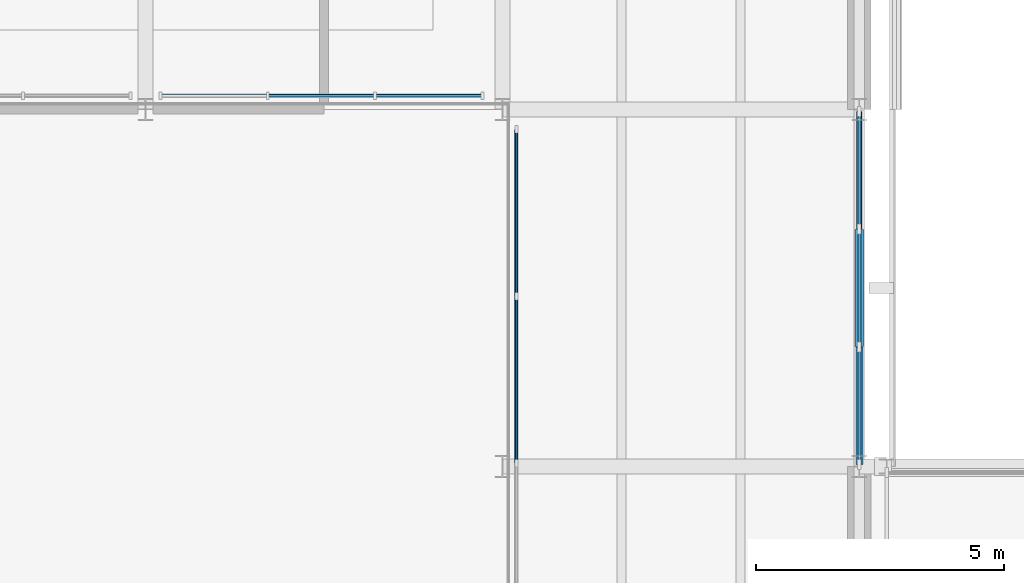
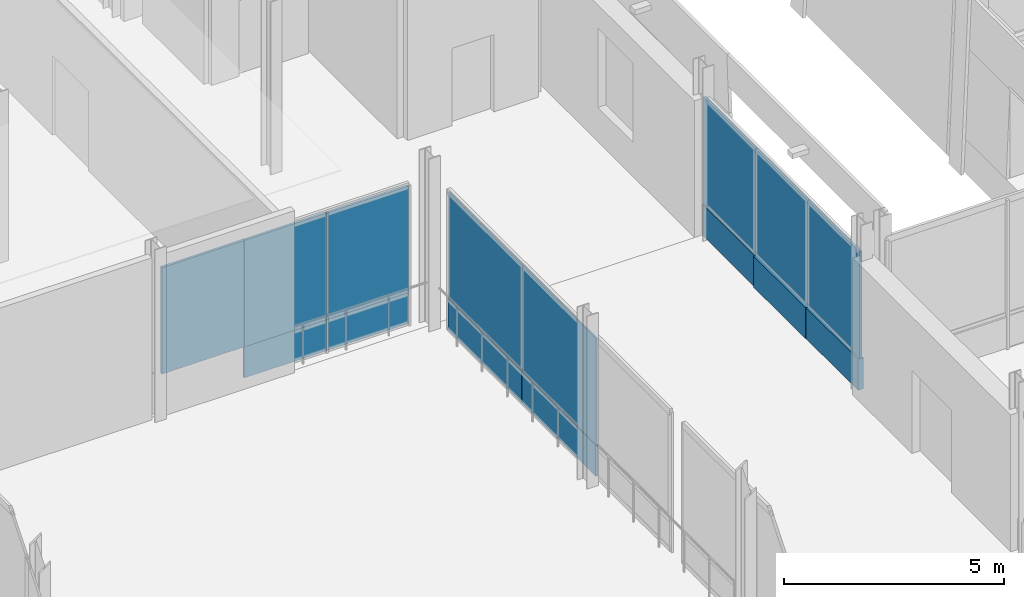
# One storey, part 63 of 121: 15 plates, 3 elements without a shape of their own.
"""IFC4 building model written with IfcOpenShell, lengths in metres."""

from ifc_helpers import new_model, si_unit, direction, frame, origin, origin_2d, place, context, subcontext, project, spatial, rectangle, extrude, material, layer, layer_set, type_object, element, aggregate, save


model = new_model("IFC4")

# Units and contexts
model_context = context("Model", 3, precision=1e-05, world=origin(), true_north=direction((0.0, 1.0)))
body_context = subcontext(model_context, "Body", "Model", "MODEL_VIEW")
ifc_project = project(units=[si_unit("LENGTHUNIT", "METRE"), si_unit("AREAUNIT", "SQUARE_METRE"), si_unit("VOLUMEUNIT", "CUBIC_METRE"), si_unit("PLANEANGLEUNIT", "RADIAN"), si_unit("MASSUNIT", "GRAM", prefix="KILO")], contexts=[model_context])

# Site, building, storey
site_placement = place(None, origin())
site = spatial("IfcSite", under=ifc_project, at=site_placement, CompositionType="ELEMENT")
building_placement = place(site_placement, origin())
building = spatial("IfcBuilding", under=site, at=building_placement, Name="Narikvali Park Central Library", CompositionType="ELEMENT")
storey_placement = place(building_placement, frame((0.0, 0.0, 5.39990234375)))
storey = spatial("IfcBuildingStorey", under=building, at=storey_placement, Name="L01", CompositionType="ELEMENT", Elevation=5.39990234375)

# Curtain wall, plates
ifc_material_1 = material(Name="Anodised Bronze Aluminium", Category="aluminium")
ifc_layer_1 = layer(ifc_material_1, 0.219970703125, Name="Anodised Bronze Aluminium")
ifc_layer_set_1 = layer_set([ifc_layer_1], Name="Anodised Bronze Aluminium")
curtain_wall_type = type_object("IfcCurtainWallType", Name="Atrium Tall Curtain Wall System", PredefinedType="NOTDEFINED", material=ifc_layer_set_1)
curtain_wall_1_placement = place(storey_placement, origin())
curtain_wall_1 = element("IfcCurtainWall", 1, at=curtain_wall_1_placement, inside=storey, type_object=curtain_wall_type, Name="Atrium Tall Curtain Wall System CW-V4-L01-E-05", PredefinedType="NOTDEFINED")
ifc_material_2 = material(Name="Anodised Bronze Acoustic Spandrel Cassette")
ifc_layer_2 = layer(ifc_material_2, 0.1650390625, Name="Anodised Bronze Acoustic Spandrel Cassette")
ifc_layer_set_2 = layer_set([ifc_layer_2], Name="Anodised Bronze Acoustic Spandrel Cassette")
plate_type_1 = type_object("IfcPlateType", Name="Curtain Wall Acoustic Plenum Louvre Cassette 165", PredefinedType="CURTAIN_PANEL", material=ifc_layer_set_2)
plate_1_placement = place(storey_placement, frame((57.60009765625, 82.800048828125, 0.03515625), z_axis=(0.0, 0.0, 1.0), x_axis=(0.0, 1.0, 0.0)))
plate_1 = element("IfcPlate", 2, at=plate_1_placement, type_object=plate_type_1, Name="CW-V4-L01-E-05 Panel 01-0", PredefinedType="CURTAIN_PANEL", context=body_context, shape_type="SweptSolid", body=[
    extrude(rectangle(XDim=2.36474609375, YDim=0.1650390625, at=origin_2d()), origin(), (0.0, 0.0, 1.0), 0.860107421875),
])
ifc_material_3 = material(Name="Heavy Acoustic Laminated Clerestory Glazing", Category="glass")
ifc_layer_3 = layer(ifc_material_3, 0.06396484375, Name="Heavy Acoustic Laminated Clerestory Glazing")
ifc_layer_set_3 = layer_set([ifc_layer_3], Name="Heavy Acoustic Laminated Clerestory Glazing")
plate_type_2 = type_object("IfcPlateType", Name="Curtain Wall Clerestory Laminated Acoustic Glass 64", PredefinedType="CURTAIN_PANEL", material=ifc_layer_set_3)
plate_2_placement = place(storey_placement, frame((57.60009765625, 80.42529296875, 0.905029296875), z_axis=(0.0, 0.0, 1.0), x_axis=(0.0, 1.0, 0.0)))
plate_2 = element("IfcPlate", 3, at=plate_2_placement, type_object=plate_type_2, Name="CW-V4-L01-E-05 Panel 00-1", PredefinedType="CURTAIN_PANEL", context=body_context, shape_type="SweptSolid", body=[
    extrude(rectangle(XDim=2.36474609375, YDim=0.06396484375, at=origin_2d()), origin(), (0.0, 0.0, 1.0), 2.9599609375),
])
plate_3_placement = place(storey_placement, frame((57.60009765625, 82.800048828125, 0.905029296875), z_axis=(0.0, 0.0, 1.0), x_axis=(0.0, 1.0, 0.0)))
plate_3 = element("IfcPlate", 4, at=plate_3_placement, type_object=plate_type_2, Name="CW-V4-L01-E-05 Panel 01-1", PredefinedType="CURTAIN_PANEL", context=body_context, shape_type="SweptSolid", body=[
    extrude(rectangle(XDim=2.36474609375, YDim=0.06396484375, at=origin_2d()), origin(), (0.0, 0.0, 1.0), 2.9599609375),
])
plate_4_placement = place(storey_placement, frame((57.60009765625, 85.1748046875, 0.905029296875), z_axis=(0.0, 0.0, 1.0), x_axis=(0.0, 1.0, 0.0)))
plate_4 = element("IfcPlate", 5, at=plate_4_placement, type_object=plate_type_2, Name="CW-V4-L01-E-05 Panel 02-1", PredefinedType="CURTAIN_PANEL", context=body_context, shape_type="SweptSolid", body=[
    extrude(rectangle(XDim=2.36474609375, YDim=0.06396484375, at=origin_2d()), origin(), (0.0, 0.0, 1.0), 2.9599609375),
])

curtain_wall_2_placement = place(storey_placement, origin())
curtain_wall_2 = element("IfcCurtainWall", 6, at=curtain_wall_2_placement, inside=storey, type_object=curtain_wall_type, Name="Atrium Tall Curtain Wall System CW-INT-V4-L01-E2", PredefinedType="NOTDEFINED")
plate_5_placement = place(storey_placement, frame((50.679931640625, 80.949951171875, 0.03515625), z_axis=(0.0, 0.0, 1.0), x_axis=(0.0, 1.0, 0.0)))
plate_5 = element("IfcPlate", 7, at=plate_5_placement, type_object=plate_type_2, Name="CW-INT-V4-L01-E2 Panel 01-0", PredefinedType="CURTAIN_PANEL", context=body_context, shape_type="SweptSolid", body=[
    extrude(rectangle(XDim=3.356689453125, YDim=0.06396484375, at=origin_2d()), origin(), (0.0, 0.0, 1.0), 0.860107421875),
])
plate_6_placement = place(storey_placement, frame((50.679931640625, 84.316650390625, 0.03515625), z_axis=(0.0, 0.0, 1.0), x_axis=(0.0, 1.0, 0.0)))
plate_6 = element("IfcPlate", 8, at=plate_6_placement, type_object=plate_type_2, Name="CW-INT-V4-L01-E2 Panel 02-0", PredefinedType="CURTAIN_PANEL", context=body_context, shape_type="SweptSolid", body=[
    extrude(rectangle(XDim=3.356689453125, YDim=0.06396484375, at=origin_2d()), origin(), (0.0, 0.0, 1.0), 0.860107421875),
])

curtain_wall_3_placement = place(storey_placement, origin())
curtain_wall_3 = element("IfcCurtainWall", 9, at=curtain_wall_3_placement, inside=storey, type_object=curtain_wall_type, Name="Atrium Tall Curtain Wall System CW-INT-V4-L01-N2", PredefinedType="NOTDEFINED")
plate_7_placement = place(storey_placement, frame((44.583251953125, 86.679931640625, 0.905029296875), z_axis=(0.0, 0.0, 1.0), x_axis=(1.0, 0.0, 0.0)))
plate_7 = element("IfcPlate", 10, at=plate_7_placement, type_object=plate_type_2, Name="CW-INT-V4-L01-N2 Panel 00-1", PredefinedType="CURTAIN_PANEL", context=body_context, shape_type="SweptSolid", body=[
    extrude(rectangle(XDim=2.15673828125, YDim=0.06396484375, at=origin_2d()), origin(), (0.0, 0.0, 1.0), 2.9599609375),
])
plate_8_placement = place(storey_placement, frame((46.75, 86.679931640625, 0.905029296875), z_axis=(0.0, 0.0, 1.0), x_axis=(1.0, 0.0, 0.0)))
plate_8 = element("IfcPlate", 11, at=plate_8_placement, type_object=plate_type_2, Name="CW-INT-V4-L01-N2 Panel 01-1", PredefinedType="CURTAIN_PANEL", context=body_context, shape_type="SweptSolid", body=[
    extrude(rectangle(XDim=2.15673828125, YDim=0.06396484375, at=origin_2d()), origin(), (0.0, 0.0, 1.0), 2.9599609375),
])
plate_9_placement = place(storey_placement, frame((48.916748046875, 86.679931640625, 0.905029296875), z_axis=(0.0, 0.0, 1.0), x_axis=(1.0, 0.0, 0.0)))
plate_9 = element("IfcPlate", 12, at=plate_9_placement, type_object=plate_type_2, Name="CW-INT-V4-L01-N2 Panel 02-1", PredefinedType="CURTAIN_PANEL", context=body_context, shape_type="SweptSolid", body=[
    extrude(rectangle(XDim=2.15673828125, YDim=0.06396484375, at=origin_2d()), origin(), (0.0, 0.0, 1.0), 2.9599609375),
])

# Plate
ifc_material_4 = material(Name="Double Low-E Tempered Vision Glazing", Category="glass")
ifc_layer_4 = layer(ifc_material_4, 0.035888671875, Name="Double Low-E Tempered Vision Glazing")
ifc_layer_set_4 = layer_set([ifc_layer_4], Name="Double Low-E Tempered Vision Glazing")
plate_type_3 = type_object("IfcPlateType", Name="Curtain Wall Double Low-E Vision Glazing 36", PredefinedType="CURTAIN_PANEL", material=ifc_layer_set_4)
plate_10_placement = place(storey_placement, frame((50.679931640625, 80.949951171875, 0.905029296875), z_axis=(0.0, 0.0, 1.0), x_axis=(0.0, 1.0, 0.0)))
plate_10 = element("IfcPlate", 13, at=plate_10_placement, type_object=plate_type_3, Name="CW-INT-V4-L01-E2 Panel 01-1", PredefinedType="CURTAIN_PANEL", context=body_context, shape_type="SweptSolid", body=[
    extrude(rectangle(XDim=3.356689453125, YDim=0.035888671875, at=origin_2d()), origin(), (0.0, 0.0, 1.0), 2.9599609375),
])

plate_11_placement = place(storey_placement, frame((50.679931640625, 84.316650390625, 0.905029296875), z_axis=(0.0, 0.0, 1.0), x_axis=(0.0, 1.0, 0.0)))
plate_11 = element("IfcPlate", 14, at=plate_11_placement, type_object=plate_type_3, Name="CW-INT-V4-L01-E2 Panel 02-1", PredefinedType="CURTAIN_PANEL", context=body_context, shape_type="SweptSolid", body=[
    extrude(rectangle(XDim=3.356689453125, YDim=0.035888671875, at=origin_2d()), origin(), (0.0, 0.0, 1.0), 2.9599609375),
])

aggregate(curtain_wall_2, [plate_5, plate_10, plate_6, plate_11])

ifc_material_5 = material(Name="Anodised Bronze Insulated Spandrel Cassette")
ifc_layer_5 = layer(ifc_material_5, 0.110107421875, Name="Anodised Bronze Insulated Spandrel Cassette")
ifc_layer_set_5 = layer_set([ifc_layer_5], Name="Anodised Bronze Insulated Spandrel Cassette")
plate_type_4 = type_object("IfcPlateType", Name="Curtain Wall Insulated Bronze Spandrel Cassette 110", PredefinedType="CURTAIN_PANEL", material=ifc_layer_set_5)
plate_12_placement = place(storey_placement, frame((57.60009765625, 85.1748046875, 0.03515625), z_axis=(0.0, 0.0, 1.0), x_axis=(0.0, 1.0, 0.0)))
plate_12 = element("IfcPlate", 15, at=plate_12_placement, type_object=plate_type_4, Name="CW-V4-L01-E-05 Panel 02-0", PredefinedType="CURTAIN_PANEL", context=body_context, shape_type="SweptSolid", body=[
    extrude(rectangle(XDim=2.36474609375, YDim=0.110107421875, at=origin_2d()), origin(), (0.0, 0.0, 1.0), 0.860107421875),
])

ifc_material_6 = material(Name="Mineral-Wool Shadow-Box Spandrel Assembly")
ifc_layer_6 = layer(ifc_material_6, 0.139892578125, Name="Mineral-Wool Shadow-Box Spandrel Assembly")
ifc_layer_set_6 = layer_set([ifc_layer_6], Name="Mineral-Wool Shadow-Box Spandrel Assembly")
plate_type_5 = type_object("IfcPlateType", Name="Curtain Wall Shadow-Box Mineral Spandrel Panel 140", PredefinedType="CURTAIN_PANEL", material=ifc_layer_set_6)
plate_13_placement = place(storey_placement, frame((57.60009765625, 80.42529296875, 0.03515625), z_axis=(0.0, 0.0, 1.0), x_axis=(0.0, 1.0, 0.0)))
plate_13 = element("IfcPlate", 16, at=plate_13_placement, type_object=plate_type_5, Name="CW-V4-L01-E-05 Panel 00-0", PredefinedType="CURTAIN_PANEL", context=body_context, shape_type="SweptSolid", body=[
    extrude(rectangle(XDim=2.36474609375, YDim=0.139892578125, at=origin_2d()), origin(), (0.0, 0.0, 1.0), 0.860107421875),
])

aggregate(curtain_wall_1, [plate_13, plate_2, plate_1, plate_3, plate_12, plate_4])

ifc_material_7 = material(Name="Triple Low-E Acoustic Laminated Glazing", Category="glass")
ifc_layer_7 = layer(ifc_material_7, 0.048095703125, Name="Triple Low-E Acoustic Laminated Glazing")
ifc_layer_set_7 = layer_set([ifc_layer_7], Name="Triple Low-E Acoustic Laminated Glazing")
plate_type_6 = type_object("IfcPlateType", Name="Curtain Wall Triple Solar-Acoustic Glazing 48", PredefinedType="CURTAIN_PANEL", material=ifc_layer_set_7)
plate_14_placement = place(storey_placement, frame((46.75, 86.679931640625, 0.03515625), z_axis=(0.0, 0.0, 1.0), x_axis=(1.0, 0.0, 0.0)))
plate_14 = element("IfcPlate", 17, at=plate_14_placement, type_object=plate_type_6, Name="CW-INT-V4-L01-N2 Panel 01-0", PredefinedType="CURTAIN_PANEL", context=body_context, shape_type="SweptSolid", body=[
    extrude(rectangle(XDim=2.15673828125, YDim=0.048095703125, at=origin_2d()), origin(), (0.0, 0.0, 1.0), 0.860107421875),
])

plate_15_placement = place(storey_placement, frame((48.916748046875, 86.679931640625, 0.03515625), z_axis=(0.0, 0.0, 1.0), x_axis=(1.0, 0.0, 0.0)))
plate_15 = element("IfcPlate", 18, at=plate_15_placement, type_object=plate_type_6, Name="CW-INT-V4-L01-N2 Panel 02-0", PredefinedType="CURTAIN_PANEL", context=body_context, shape_type="SweptSolid", body=[
    extrude(rectangle(XDim=2.15673828125, YDim=0.048095703125, at=origin_2d()), origin(), (0.0, 0.0, 1.0), 0.860107421875),
])

aggregate(curtain_wall_3, [plate_7, plate_14, plate_8, plate_15, plate_9])

save(model, "model.ifc")
